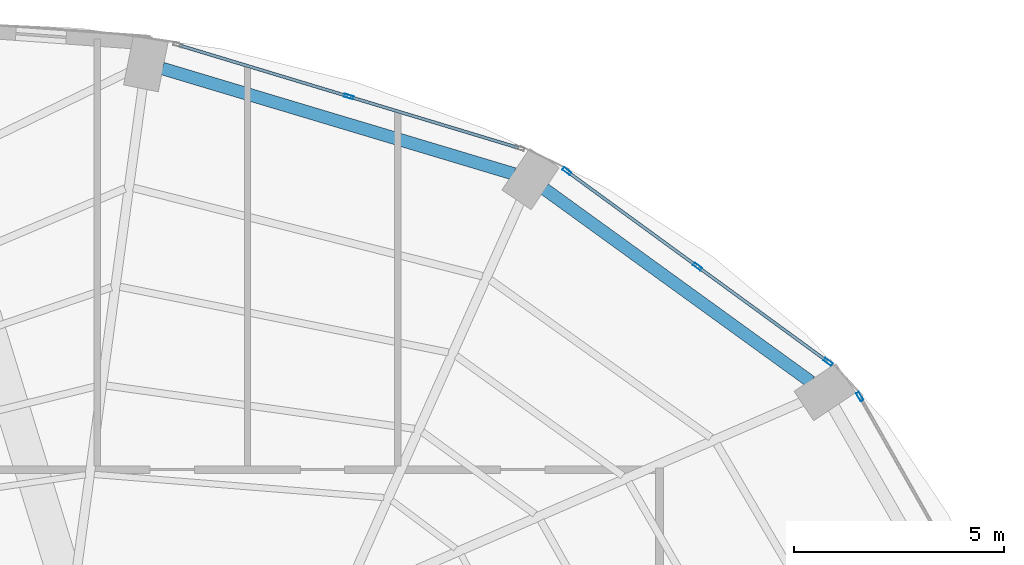
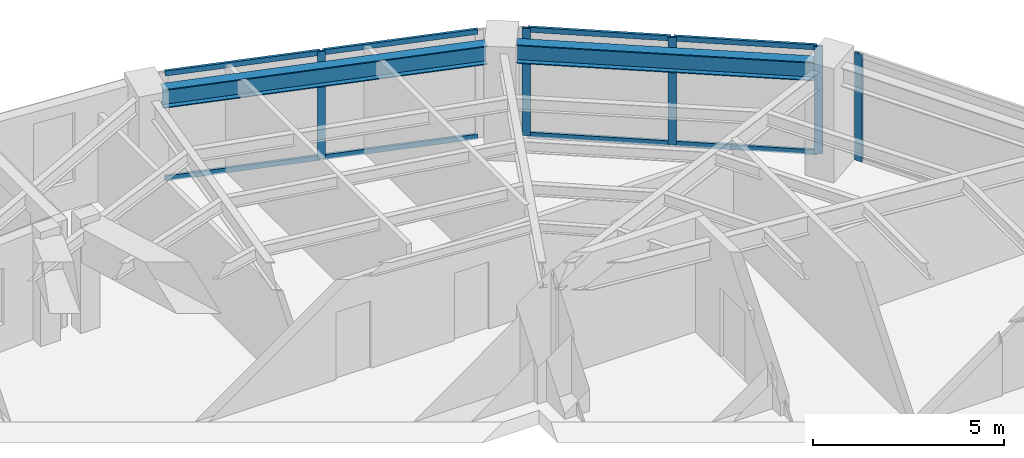
# One storey, part 17 of 23: 13 members, 2 beams, 3 elements without a shape of their own.
"""IFC4 building model written with IfcOpenShell, lengths in metres."""

from ifc_helpers import new_model, si_unit, direction, frame, origin, origin_2d, place, context, subcontext, project, spatial, hollow_rectangle, i_section, extrude, material, layer, layer_set, material_profile, profile_set, type_object, element, aggregate, save


model = new_model("IFC4")

# Units and contexts
model_context = context("Model", 3, precision=1e-05, world=origin(), true_north=direction((0.0, 1.0)))
body_context = subcontext(model_context, "Body", "Model", "MODEL_VIEW")
ifc_project = project(units=[si_unit("LENGTHUNIT", "METRE"), si_unit("AREAUNIT", "SQUARE_METRE"), si_unit("VOLUMEUNIT", "CUBIC_METRE"), si_unit("PLANEANGLEUNIT", "RADIAN"), si_unit("MASSUNIT", "GRAM", prefix="KILO")], contexts=[model_context])

# Site, building, storey
site_placement = place(None, origin())
site = spatial("IfcSite", under=ifc_project, at=site_placement, CompositionType="ELEMENT")
building_placement = place(site_placement, origin())
building = spatial("IfcBuilding", under=site, at=building_placement, Name="Lazwardi Medical Tower", CompositionType="ELEMENT")
storey_placement = place(building_placement, frame((0.0, 0.0, 81.743896484375)))
storey = spatial("IfcBuildingStorey", under=building, at=storey_placement, Name="L20", CompositionType="ELEMENT", Elevation=81.743896484375)

# Beams
ifc_material_1 = material(Name="Steel S355", Category="steel")
ifc_material_profile_1 = material_profile(ifc_material_1, i_section(OverallWidth=0.300048828125, OverallDepth=0.60009765625, WebThickness=0.015380859375, FlangeThickness=0.030029296875, at=origin_2d()), Name="HEB 600")
ifc_profile_set_1 = profile_set([ifc_material_profile_1], Name="Steel S355")
beam_type = type_object("IfcBeamType", Name="BM-RB-Z2", PredefinedType="BEAM", material=ifc_profile_set_1)
beam_1_placement = place(storey_placement, frame((56.74560546875, 40.835205078125, 3.128173828125), z_axis=(-0.81005674773, 0.586351486275, 0.0), x_axis=(-0.586351486275, -0.81005674773, 0.0)))
element("IfcBeam", 1, at=beam_1_placement, inside=storey, type_object=beam_type, Name="Ring beam RB-03 B06 L20", PredefinedType="BEAM", context=body_context, shape_type="SweptSolid", body=[
    extrude(i_section(OverallWidth=0.300048828125, OverallDepth=0.60009765625, WebThickness=0.015380859375, FlangeThickness=0.030029296875, at=origin_2d()), origin(), (0.0, 0.0, 1.0), 7.81396484375),
])
beam_2_placement = place(storey_placement, frame((49.69091796875, 45.775390625, 3.128173828125), z_axis=(-0.957879438442, 0.287170648587, 0.0), x_axis=(-0.287170648587, -0.957879438442, 0.0)))
element("IfcBeam", 2, at=beam_2_placement, inside=storey, type_object=beam_type, Name="Ring beam RB-03 B07 L20", PredefinedType="BEAM", context=body_context, shape_type="SweptSolid", body=[
    extrude(i_section(OverallWidth=0.300048828125, OverallDepth=0.60009765625, WebThickness=0.015380859375, FlangeThickness=0.030029296875, at=origin_2d()), origin(), (0.0, 0.0, 1.0), 8.719970703125),
])

# Curtain wall, member
ifc_material_2 = material(Name="Anodised bronze aluminium and solar control glazing", Category="aluminium")
ifc_layer = layer(ifc_material_2, 0.195068359375)
ifc_layer_set = layer_set([ifc_layer], Name="Anodised bronze aluminium and solar control glazing")
curtain_wall_type = type_object("IfcCurtainWallType", Name="CW-SYS-03", PredefinedType="NOTDEFINED", material=ifc_layer_set)
curtain_wall_1_placement = place(storey_placement, origin())
curtain_wall_1 = element("IfcCurtainWall", 3, at=curtain_wall_1_placement, inside=storey, type_object=curtain_wall_type, Name="L20 Unitised bronze curtain wall CW-03", PredefinedType="NOTDEFINED")
ifc_material_3 = material(Name="Anodised bronze aluminium", Category="aluminium")
ifc_material_profile_2 = material_profile(ifc_material_3, hollow_rectangle(XDim=0.074951171875, YDim=0.219970703125, WallThickness=0.00390625, at=origin_2d()), Name="ALU-MULLION 220x75x4")
ifc_profile_set_2 = profile_set([ifc_material_profile_2], Name="Anodised bronze aluminium")
member_type_1 = type_object("IfcMemberType", Name="CW-MUL-01", PredefinedType="MULLION", material=ifc_profile_set_2)
member_1_placement = place(storey_placement, frame((57.9072265625, 40.48583984375, 0.0), z_axis=(0.0, 0.0, 1.0), x_axis=(-0.869687265712, -0.493603140041, 0.0)))
member_1 = element("IfcMember", 4, at=member_1_placement, type_object=member_type_1, Name="CW-03 mullion 2", PredefinedType="MULLION", context=body_context, shape_type="SweptSolid", body=[
    extrude(hollow_rectangle(XDim=0.074951171875, YDim=0.219970703125, WallThickness=0.00390625, at=origin_2d()), origin(), (0.0, 0.0, 1.0), 3.42822265625),
])
aggregate(curtain_wall_1, [member_1])

# Curtain wall, members
curtain_wall_2_placement = place(storey_placement, origin())
curtain_wall_2 = element("IfcCurtainWall", 5, at=curtain_wall_2_placement, inside=storey, type_object=curtain_wall_type, Name="L20 Unitised bronze curtain wall CW-03", PredefinedType="NOTDEFINED")
member_2_placement = place(storey_placement, frame((57.155029296875, 41.308837890625, 0.0), z_axis=(0.0, 0.0, 1.0), x_axis=(-0.589530882802, -0.807745837639, 0.0)))
member_2 = element("IfcMember", 6, at=member_2_placement, type_object=member_type_1, Name="CW-03 mullion 1", PredefinedType="MULLION", context=body_context, shape_type="SweptSolid", body=[
    extrude(hollow_rectangle(XDim=0.074951171875, YDim=0.219970703125, WallThickness=0.00390625, at=origin_2d()), origin(), (0.0, 0.0, 1.0), 3.42822265625),
])
member_3_placement = place(storey_placement, frame((54.051025390625, 43.57421875, 0.0), z_axis=(0.0, 0.0, 1.0), x_axis=(-0.589530882802, -0.807745837639, 0.0)))
member_3 = element("IfcMember", 7, at=member_3_placement, type_object=member_type_1, Name="CW-03 mullion 2", PredefinedType="MULLION", context=body_context, shape_type="SweptSolid", body=[
    extrude(hollow_rectangle(XDim=0.074951171875, YDim=0.219970703125, WallThickness=0.00390625, at=origin_2d()), origin(), (0.0, 0.0, 1.0), 3.42822265625),
])
member_4_placement = place(storey_placement, frame((50.947265625, 45.839599609375, 0.0), z_axis=(0.0, 0.0, 1.0), x_axis=(-0.589530882802, -0.807745837639, 0.0)))
member_4 = element("IfcMember", 8, at=member_4_placement, type_object=member_type_1, Name="CW-03 mullion 3", PredefinedType="MULLION", context=body_context, shape_type="SweptSolid", body=[
    extrude(hollow_rectangle(XDim=0.074951171875, YDim=0.219970703125, WallThickness=0.00390625, at=origin_2d()), origin(), (0.0, 0.0, 1.0), 3.42822265625),
])

# Curtain wall, member
curtain_wall_3_placement = place(storey_placement, origin())
curtain_wall_3 = element("IfcCurtainWall", 9, at=curtain_wall_3_placement, inside=storey, type_object=curtain_wall_type, Name="L20 Unitised bronze curtain wall CW-03", PredefinedType="NOTDEFINED")
member_5_placement = place(storey_placement, frame((45.769287109375, 47.613037109375, 0.0), z_axis=(0.0, 0.0, 1.0), x_axis=(-0.28937381157, -0.957216170558, 0.0)))
member_5 = element("IfcMember", 10, at=member_5_placement, type_object=member_type_1, Name="CW-03 mullion 2", PredefinedType="MULLION", context=body_context, shape_type="SweptSolid", body=[
    extrude(hollow_rectangle(XDim=0.074951171875, YDim=0.219970703125, WallThickness=0.00390625, at=origin_2d()), origin(), (0.0, 0.0, 1.0), 3.42822265625),
])

# Member
ifc_material_profile_3 = material_profile(ifc_material_3, hollow_rectangle(XDim=0.074951171875, YDim=0.159912109375, WallThickness=0.00390625, at=origin_2d()), Name="ALU-TRANSOM 160x75x4")
ifc_profile_set_3 = profile_set([ifc_material_profile_3], Name="Anodised bronze aluminium")
member_type_2 = type_object("IfcMemberType", Name="CW-TRN-01", PredefinedType="USERDEFINED", material=ifc_profile_set_3)
member_6_placement = place(storey_placement, frame((57.12451171875, 41.3310546875, 0.03759765625), z_axis=(-0.807731734271, 0.589550206049, 0.0), x_axis=(-0.589550206049, -0.807731734271, 0.0)))
member_6 = element("IfcMember", 11, at=member_6_placement, type_object=member_type_2, Name="CW-03 transom 1.1", ObjectType="TRANSOM", PredefinedType="USERDEFINED", context=body_context, shape_type="SweptSolid", body=[
    extrude(hollow_rectangle(XDim=0.074951171875, YDim=0.159912109375, WallThickness=0.00390625, at=origin_2d()), origin(), (0.0, 0.0, 1.0), 3.767578125),
])

member_7_placement = place(storey_placement, frame((57.12451171875, 41.3310546875, 3.390625), z_axis=(-0.807731734271, 0.589550206049, 0.0), x_axis=(-0.589550206049, -0.807731734271, 0.0)))
member_7 = element("IfcMember", 12, at=member_7_placement, type_object=member_type_2, Name="CW-03 transom 1.2", ObjectType="TRANSOM", PredefinedType="USERDEFINED", context=body_context, shape_type="SweptSolid", body=[
    extrude(hollow_rectangle(XDim=0.074951171875, YDim=0.159912109375, WallThickness=0.00390625, at=origin_2d()), origin(), (0.0, 0.0, 1.0), 3.767578125),
])

member_8_placement = place(storey_placement, frame((54.020751953125, 43.596435546875, 0.03759765625), z_axis=(-0.80776259199, 0.58950792614, 0.0), x_axis=(-0.58950792614, -0.80776259199, 0.0)))
member_8 = element("IfcMember", 13, at=member_8_placement, type_object=member_type_2, Name="CW-03 transom 2.1", ObjectType="TRANSOM", PredefinedType="USERDEFINED", context=body_context, shape_type="SweptSolid", body=[
    extrude(hollow_rectangle(XDim=0.074951171875, YDim=0.159912109375, WallThickness=0.00390625, at=origin_2d()), origin(), (0.0, 0.0, 1.0), 3.767578125),
])

member_9_placement = place(storey_placement, frame((54.020751953125, 43.596435546875, 3.390625), z_axis=(-0.80776259199, 0.58950792614, 0.0), x_axis=(-0.58950792614, -0.80776259199, 0.0)))
member_9 = element("IfcMember", 14, at=member_9_placement, type_object=member_type_2, Name="CW-03 transom 2.2", ObjectType="TRANSOM", PredefinedType="USERDEFINED", context=body_context, shape_type="SweptSolid", body=[
    extrude(hollow_rectangle(XDim=0.074951171875, YDim=0.159912109375, WallThickness=0.00390625, at=origin_2d()), origin(), (0.0, 0.0, 1.0), 3.767578125),
])

aggregate(curtain_wall_2, [member_2, member_3, member_4, member_6, member_7, member_8, member_9])

member_10_placement = place(storey_placement, frame((49.79248046875, 46.396728515625, 0.03759765625), z_axis=(-0.957204630929, 0.289411980623, 0.0), x_axis=(-0.289411980623, -0.957204630929, 0.0)))
member_10 = element("IfcMember", 15, at=member_10_placement, type_object=member_type_2, Name="CW-03 transom 1.1", ObjectType="TRANSOM", PredefinedType="USERDEFINED", context=body_context, shape_type="SweptSolid", body=[
    extrude(hollow_rectangle(XDim=0.074951171875, YDim=0.159912109375, WallThickness=0.00390625, at=origin_2d()), origin(), (0.0, 0.0, 1.0), 4.16552734375),
])

member_11_placement = place(storey_placement, frame((49.79248046875, 46.396728515625, 3.390625), z_axis=(-0.957204630929, 0.289411980623, 0.0), x_axis=(-0.289411980623, -0.957204630929, 0.0)))
member_11 = element("IfcMember", 16, at=member_11_placement, type_object=member_type_2, Name="CW-03 transom 1.2", ObjectType="TRANSOM", PredefinedType="USERDEFINED", context=body_context, shape_type="SweptSolid", body=[
    extrude(hollow_rectangle(XDim=0.074951171875, YDim=0.159912109375, WallThickness=0.00390625, at=origin_2d()), origin(), (0.0, 0.0, 1.0), 4.16552734375),
])

member_12_placement = place(storey_placement, frame((45.7333984375, 47.6240234375, 0.03759765625), z_axis=(-0.957220865985, 0.289358279168, 0.0), x_axis=(-0.289358279168, -0.957220865985, 0.0)))
member_12 = element("IfcMember", 17, at=member_12_placement, type_object=member_type_2, Name="CW-03 transom 2.1", ObjectType="TRANSOM", PredefinedType="USERDEFINED", context=body_context, shape_type="SweptSolid", body=[
    extrude(hollow_rectangle(XDim=0.074951171875, YDim=0.159912109375, WallThickness=0.00390625, at=origin_2d()), origin(), (0.0, 0.0, 1.0), 4.16552734375),
])

member_13_placement = place(storey_placement, frame((45.7333984375, 47.6240234375, 3.390625), z_axis=(-0.957220865985, 0.289358279168, 0.0), x_axis=(-0.289358279168, -0.957220865985, 0.0)))
member_13 = element("IfcMember", 18, at=member_13_placement, type_object=member_type_2, Name="CW-03 transom 2.2", ObjectType="TRANSOM", PredefinedType="USERDEFINED", context=body_context, shape_type="SweptSolid", body=[
    extrude(hollow_rectangle(XDim=0.074951171875, YDim=0.159912109375, WallThickness=0.00390625, at=origin_2d()), origin(), (0.0, 0.0, 1.0), 4.16552734375),
])

aggregate(curtain_wall_3, [member_5, member_10, member_11, member_12, member_13])

save(model, "model.ifc")
